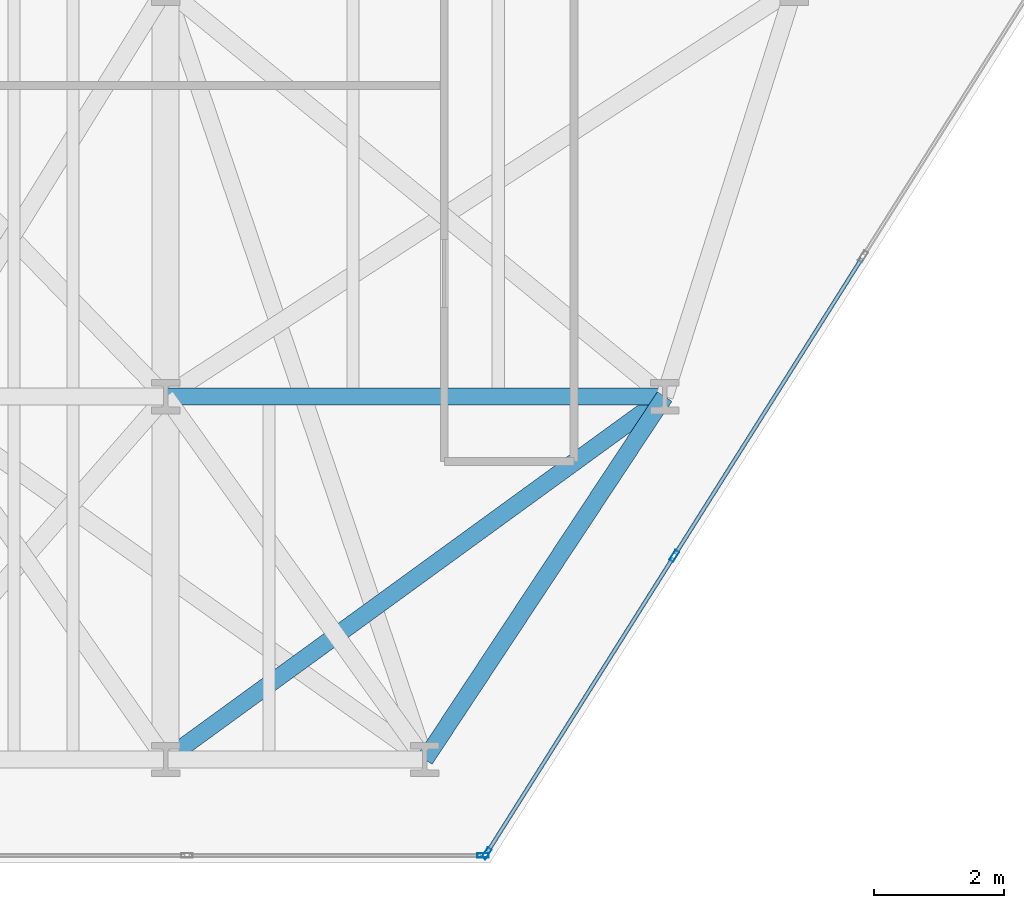
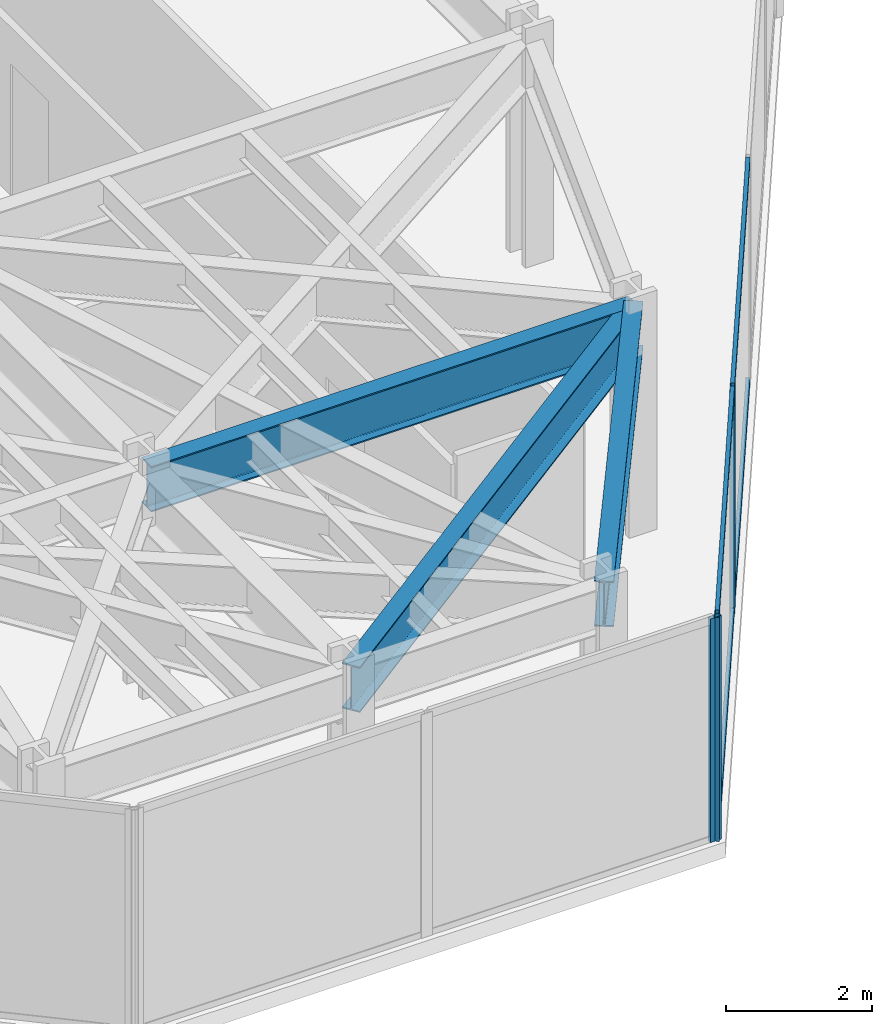
# One storey, part 5 of 24: 7 members, 3 beams, 2 elements without a shape of their own.
"""IFC4 building model written with IfcOpenShell, lengths in metres."""

from ifc_helpers import new_model, si_unit, direction, frame, origin, origin_2d, place, context, subcontext, project, spatial, hollow_rectangle, i_section, extrude, material, layer, layer_set, material_profile, profile_set, type_object, element, aggregate, save


model = new_model("IFC4")

# Units and contexts
model_context = context("Model", 3, precision=1e-05, world=origin(), true_north=direction((0.0, 1.0)))
body_context = subcontext(model_context, "Body", "Model", "MODEL_VIEW")
ifc_project = project(units=[si_unit("LENGTHUNIT", "METRE"), si_unit("AREAUNIT", "SQUARE_METRE"), si_unit("VOLUMEUNIT", "CUBIC_METRE"), si_unit("PLANEANGLEUNIT", "RADIAN"), si_unit("MASSUNIT", "GRAM", prefix="KILO")], contexts=[model_context])

# Site, building, storey
site_placement = place(None, origin())
site = spatial("IfcSite", under=ifc_project, at=site_placement, CompositionType="ELEMENT")
building_placement = place(site_placement, origin())
building = spatial("IfcBuilding", under=site, at=building_placement, Name="Kravanh Interchange Tower", CompositionType="ELEMENT")
storey_placement = place(building_placement, frame((0.0, 0.0, 37.5)))
storey = spatial("IfcBuildingStorey", under=building, at=storey_placement, Name="L08", CompositionType="ELEMENT", Elevation=37.5)

# Curtain wall, members
ifc_material_1 = material(Name="Anodised Bronze Aluminium", Category="aluminium")
ifc_layer = layer(ifc_material_1, 0.179931640625)
ifc_layer_set = layer_set([ifc_layer], Name="Unitised Curtain Wall System CW-Z1 Lower Office")
curtain_wall_type = type_object("IfcCurtainWallType", Name="Unitised Curtain Wall System CW-Z1 Lower Office", PredefinedType="NOTDEFINED", material=ifc_layer_set)
curtain_wall_1_placement = place(storey_placement, origin())
curtain_wall_1 = element("IfcCurtainWall", 1, at=curtain_wall_1_placement, inside=storey, type_object=curtain_wall_type, Name="L08 Unitised Curtain Wall CW-L08-05", PredefinedType="NOTDEFINED")
ifc_material_2 = material(Name="Anodised Bronze Aluminium", Category="aluminium")
ifc_material_profile_1 = material_profile(ifc_material_2, hollow_rectangle(XDim=0.070068359375, YDim=0.179931640625, WallThickness=0.00390625, at=origin_2d()), Name="ALU70X180X4")
ifc_profile_set_1 = profile_set([ifc_material_profile_1], Name="Anodised Bronze Aluminium")
member_type_1 = type_object("IfcMemberType", Name="Curtain Wall Mullion ALU70X180X4 Bronze", PredefinedType="MULLION", material=ifc_profile_set_1)
member_1_placement = place(storey_placement, frame((25.346923828125, 5.740966796875, 0.0), z_axis=(0.0, 0.0, 1.0), x_axis=(0.845925530786, -0.53330103728, 0.0)))
member_1 = element("IfcMember", 2, at=member_1_placement, type_object=member_type_1, Name="CW-Z1 mullion 5", PredefinedType="MULLION", context=body_context, shape_type="SweptSolid", body=[
    extrude(hollow_rectangle(XDim=0.070068359375, YDim=0.179931640625, WallThickness=0.00390625, at=origin_2d()), origin(), (0.0, 0.0, 1.0), 3.739990234375),
])
member_2_placement = place(storey_placement, frame((22.452392578125, 1.149658203125, 0.0), z_axis=(0.0, 0.0, 1.0), x_axis=(0.845925530786, -0.53330103728, 0.0)))
member_2 = element("IfcMember", 3, at=member_2_placement, type_object=member_type_1, Name="CW-Z1 mullion 6", PredefinedType="MULLION", context=body_context, shape_type="SweptSolid", body=[
    extrude(hollow_rectangle(XDim=0.070068359375, YDim=0.179931640625, WallThickness=0.00390625, at=origin_2d()), origin(), (0.0, 0.0, 1.0), 3.739990234375),
])

# Curtain wall, member
curtain_wall_2_placement = place(storey_placement, origin())
curtain_wall_2 = element("IfcCurtainWall", 4, at=curtain_wall_2_placement, inside=storey, type_object=curtain_wall_type, Name="L08 Unitised Curtain Wall CW-L08-06", PredefinedType="NOTDEFINED")
member_3_placement = place(storey_placement, frame((22.398681640625, 1.1201171875, 0.0), z_axis=(0.0, 0.0, 1.0), x_axis=(0.0, -1.0, 0.0)))
member_3 = element("IfcMember", 5, at=member_3_placement, type_object=member_type_1, Name="CW-Z1 mullion 1", PredefinedType="MULLION", context=body_context, shape_type="SweptSolid", body=[
    extrude(hollow_rectangle(XDim=0.070068359375, YDim=0.179931640625, WallThickness=0.00390625, at=origin_2d()), origin(), (0.0, 0.0, 1.0), 3.739990234375),
])
aggregate(curtain_wall_2, [member_3])

# Member
ifc_material_3 = material(Name="Anodised Bronze Aluminium", Category="aluminium")
ifc_material_profile_2 = material_profile(ifc_material_3, hollow_rectangle(XDim=0.06005859375, YDim=0.139892578125, WallThickness=0.00390625, at=origin_2d()), Name="ALU60X140X4")
ifc_profile_set_2 = profile_set([ifc_material_profile_2], Name="Anodised Bronze Aluminium")
member_type_2 = type_object("IfcMemberType", Name="Curtain Wall Transom ALU60X140X4 Bronze", PredefinedType="USERDEFINED", material=ifc_profile_set_2)
member_4_placement = place(storey_placement, frame((28.24169921875, 10.332275390625, 0.030029296875), z_axis=(-0.533311487456, -0.84591894254, 0.0), x_axis=(0.84591894254, -0.533311487456, 0.0)))
member_4 = element("IfcMember", 6, at=member_4_placement, type_object=member_type_2, Name="CW-Z1 transom 4.1", ObjectType="TRANSOM", PredefinedType="USERDEFINED", context=body_context, shape_type="SweptSolid", body=[
    extrude(hollow_rectangle(XDim=0.06005859375, YDim=0.139892578125, WallThickness=0.00390625, at=origin_2d()), origin(), (0.0, 0.0, 1.0), 5.392578125),
])

member_5_placement = place(storey_placement, frame((28.24169921875, 10.332275390625, 3.7099609375), z_axis=(-0.533311487456, -0.84591894254, 0.0), x_axis=(0.84591894254, -0.533311487456, 0.0)))
member_5 = element("IfcMember", 7, at=member_5_placement, type_object=member_type_2, Name="CW-Z1 transom 4.2", ObjectType="TRANSOM", PredefinedType="USERDEFINED", context=body_context, shape_type="SweptSolid", body=[
    extrude(hollow_rectangle(XDim=0.06005859375, YDim=0.139892578125, WallThickness=0.00390625, at=origin_2d()), origin(), (0.0, 0.0, 1.0), 5.392578125),
])

member_6_placement = place(storey_placement, frame((25.328369140625, 5.71142578125, 0.030029296875), z_axis=(-0.533288163518, -0.845933646719, 0.0), x_axis=(0.845933646719, -0.533288163518, 0.0)))
member_6 = element("IfcMember", 8, at=member_6_placement, type_object=member_type_2, Name="CW-Z1 transom 5.1", ObjectType="TRANSOM", PredefinedType="USERDEFINED", context=body_context, shape_type="SweptSolid", body=[
    extrude(hollow_rectangle(XDim=0.06005859375, YDim=0.139892578125, WallThickness=0.00390625, at=origin_2d()), origin(), (0.0, 0.0, 1.0), 5.357666015625),
])

member_7_placement = place(storey_placement, frame((25.328369140625, 5.71142578125, 3.7099609375), z_axis=(-0.533288163518, -0.845933646719, 0.0), x_axis=(0.845933646719, -0.533288163518, 0.0)))
member_7 = element("IfcMember", 9, at=member_7_placement, type_object=member_type_2, Name="CW-Z1 transom 5.2", ObjectType="TRANSOM", PredefinedType="USERDEFINED", context=body_context, shape_type="SweptSolid", body=[
    extrude(hollow_rectangle(XDim=0.06005859375, YDim=0.139892578125, WallThickness=0.00390625, at=origin_2d()), origin(), (0.0, 0.0, 1.0), 5.357666015625),
])

aggregate(curtain_wall_1, [member_1, member_2, member_4, member_5, member_6, member_7])

# Beams
ifc_material_4 = material(Name="Structural Steel S355", Category="steel")
ifc_material_profile_3 = material_profile(ifc_material_4, i_section(OverallWidth=0.26708984375, OverallDepth=0.761962890625, WebThickness=0.014404296875, FlangeThickness=0.021484375, FilletRadius=0.02490234375, at=origin_2d()), Name="W30X116")
ifc_profile_set_3 = profile_set([ifc_material_profile_3], Name="Structural Steel S355")
beam_type = type_object("IfcBeamType", Name="Floor Spandrel W30X116 Structural Steel S355", PredefinedType="SPANDREL", material=ifc_profile_set_3)
beam_1_placement = place(storey_placement, frame((17.5, 2.60009765625, 3.35888671875), z_axis=(0.808741628611, 0.588164074176, 0.0), x_axis=(-0.588164074176, 0.808741628611, 0.0)))
element("IfcBeam", 10, at=beam_1_placement, inside=storey, type_object=beam_type, Name="L08 Perimeter Spandrel 105", PredefinedType="SPANDREL", context=body_context, shape_type="SweptSolid", body=[
    extrude(i_section(OverallWidth=0.26708984375, OverallDepth=0.761962890625, WebThickness=0.014404296875, FlangeThickness=0.021484375, FilletRadius=0.02490234375, at=origin_2d()), origin(), (0.0, 0.0, 1.0), 9.52099609375),
])
beam_2_placement = place(storey_placement, frame((21.5, 2.60009765625, 3.35888671875), z_axis=(0.551262239226, 0.834332034386, 0.0), x_axis=(-0.834332034386, 0.551262239226, 0.0)))
element("IfcBeam", 11, at=beam_2_placement, inside=storey, type_object=beam_type, Name="L08 Perimeter Spandrel 121", PredefinedType="SPANDREL", context=body_context, shape_type="SweptSolid", body=[
    extrude(i_section(OverallWidth=0.26708984375, OverallDepth=0.761962890625, WebThickness=0.014404296875, FlangeThickness=0.021484375, FilletRadius=0.02490234375, at=origin_2d()), origin(), (0.0, 0.0, 1.0), 6.711669921875),
])
beam_3_placement = place(storey_placement, frame((17.5, 8.199951171875, 3.35888671875), z_axis=(1.0, 0.0, 0.0), x_axis=(0.0, 1.0, 0.0)))
element("IfcBeam", 12, at=beam_3_placement, inside=storey, type_object=beam_type, Name="L08 Perimeter Spandrel 137", PredefinedType="SPANDREL", context=body_context, shape_type="SweptSolid", body=[
    extrude(i_section(OverallWidth=0.26708984375, OverallDepth=0.761962890625, WebThickness=0.014404296875, FlangeThickness=0.021484375, FilletRadius=0.02490234375, at=origin_2d()), origin(), (0.0, 0.0, 1.0), 7.699951171875),
])

save(model, "model.ifc")
